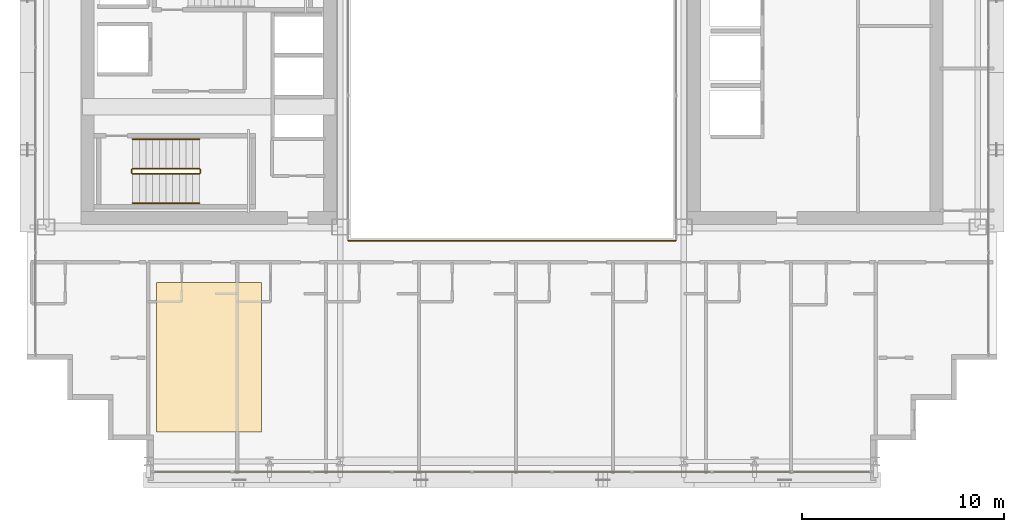
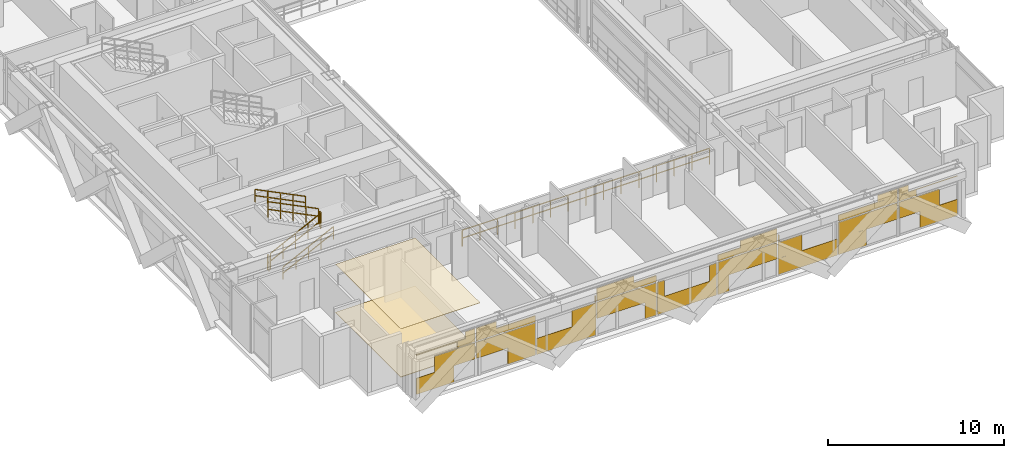
# One storey, part 36 of 39: 7 railings, 3 coverings.
"""IFC4 building model written with IfcOpenShell, lengths in metres."""

from ifc_helpers import new_model, si_unit, direction, frame, origin, origin_2d, place, context, subcontext, project, spatial, polyline, rectangle, outline, extrude, material, layer, layer_set, type_object, element, save


model = new_model("IFC4")

# Units and contexts
model_context = context("Model", 3, precision=1e-05, world=origin(), true_north=direction((0.0, 1.0)))
body_context = subcontext(model_context, "Body", "Model", "MODEL_VIEW")
ifc_project = project(units=[si_unit("LENGTHUNIT", "METRE"), si_unit("AREAUNIT", "SQUARE_METRE"), si_unit("VOLUMEUNIT", "CUBIC_METRE"), si_unit("PLANEANGLEUNIT", "RADIAN"), si_unit("MASSUNIT", "GRAM", prefix="KILO")], contexts=[model_context])

# Site, building, storey
site_placement = place(None, origin())
site = spatial("IfcSite", under=ifc_project, at=site_placement, CompositionType="ELEMENT")
building_placement = place(site_placement, origin())
building = spatial("IfcBuilding", under=site, at=building_placement, Name="Ocotamira Hotel", CompositionType="ELEMENT")
storey_placement = place(building_placement, frame((0.0, 0.0, 104.39990234375)))
storey = spatial("IfcBuildingStorey", under=building, at=storey_placement, Name="L25", CompositionType="ELEMENT", Elevation=104.39990234375)

# Coverings
ifc_material_1 = material(Name="Perforated acoustic gypsum ceiling board", Category="gypsum")
ifc_layer_1 = layer(ifc_material_1, 0.02490234375)
ifc_layer_set_1 = layer_set([ifc_layer_1], Name="Perforated acoustic gypsum ceiling board")
covering_type_1 = type_object("IfcCoveringType", Name="COV-CEIL-25", PredefinedType="CEILING", material=ifc_layer_set_1)
covering_1_placement = place(storey_placement, frame((0.0, 0.0, 3.335205078125)))
element("IfcCovering", 1, at=covering_1_placement, inside=storey, type_object=covering_type_1, Name="L25 Acoustic Ceiling", PredefinedType="CEILING", context=body_context, shape_type="SweptSolid", body=[
    extrude(outline(polyline([(14.39990234375, 4.39990234375), (19.60009765625, 4.39990234375), (19.60009765625, 11.800048828125), (14.39990234375, 11.800048828125), (14.39990234375, 4.39990234375)])), origin(), (0.0, 0.0, 1.0), 0.02490234375),
])
ifc_material_2 = material(Name="Honed desert travertine stone flooring", Category="masonry")
ifc_layer_2 = layer(ifc_material_2, 0.030029296875)
ifc_layer_set_2 = layer_set([ifc_layer_2], Name="Honed desert travertine stone flooring")
covering_type_2 = type_object("IfcCoveringType", Name="COV-FLOR-30", PredefinedType="FLOORING", material=ifc_layer_set_2)
covering_2_placement = place(storey_placement, origin())
element("IfcCovering", 2, at=covering_2_placement, inside=storey, type_object=covering_type_2, Name="L25 Honed Stone Floor Finish", PredefinedType="FLOORING", context=body_context, shape_type="SweptSolid", body=[
    extrude(outline(polyline([(14.39990234375, 4.39990234375), (19.60009765625, 4.39990234375), (19.60009765625, 11.800048828125), (14.39990234375, 11.800048828125), (14.39990234375, 4.39990234375)])), origin(), (0.0, 0.0, 1.0), 0.030029296875),
])
ifc_material_3 = material(Name="Insulated pale-metal aluminium spandrel panel", Category="aluminium")
ifc_layer_3 = layer(ifc_material_3, 0.044921875)
ifc_layer_set_3 = layer_set([ifc_layer_3], Name="Insulated pale-metal aluminium spandrel panel")
covering_type_3 = type_object("IfcCoveringType", Name="COV-INFILL-45", PredefinedType="CLADDING", material=ifc_layer_set_3)
covering_3_placement = place(storey_placement, origin())
element("IfcCovering", 3, at=covering_3_placement, inside=storey, type_object=covering_type_3, Name="L25 Curtain Wall Infill CW-3 CW-L25-S1", PredefinedType="CLADDING", context=body_context, shape_type="SweptSolid", body=[
    extrude(rectangle(XDim=2.464111328125, YDim=0.044921875, at=origin_2d()), frame((15.512451171875, 2.419921875, 0.07568359375), z_axis=(0.0, 0.0, 1.0), x_axis=(1.0, 0.0, 0.0)), (0.0, 0.0, 1.0), 1.117919921875),
    extrude(rectangle(XDim=2.650146484375, YDim=0.044921875, at=origin_2d()), frame((16.7900390625, 2.419921875, 1.1943359375), z_axis=(0.0, 0.0, 1.0), x_axis=(1.0, 0.0, 0.0)), (0.0, 0.0, 1.0), 1.117919921875),
    extrude(rectangle(XDim=3.834716796875, YDim=0.044921875, at=origin_2d()), frame((16.19775390625, 2.419921875, 2.78271484375), z_axis=(0.0, 0.0, 1.0), x_axis=(1.0, 0.0, 0.0)), (0.0, 0.0, 1.0), 0.0302734375),
    extrude(rectangle(XDim=1.157958984375, YDim=0.044921875, at=origin_2d()), frame((17.5361328125, 2.419921875, 2.38818359375), z_axis=(0.0, 0.0, 1.0), x_axis=(1.0, 0.0, 0.0)), (0.0, 0.0, 1.0), 0.3935546875),
    extrude(rectangle(XDim=0.625732421875, YDim=0.044921875, at=origin_2d()), frame((17.80224609375, 2.419921875, 2.81396484375), z_axis=(0.0, 0.0, 1.0), x_axis=(1.0, 0.0, 0.0)), (0.0, 0.0, 1.0), 0.470703125),
    extrude(rectangle(XDim=3.87451171875, YDim=0.044921875, at=origin_2d()), frame((20.13330078125, 2.419921875, 1.1943359375), z_axis=(0.0, 0.0, 1.0), x_axis=(1.0, 0.0, 0.0)), (0.0, 0.0, 1.0), 1.117919921875),
    extrude(rectangle(XDim=1.815185546875, YDim=0.044921875, at=origin_2d()), frame((21.1630859375, 2.419921875, 0.07568359375), z_axis=(0.0, 0.0, 1.0), x_axis=(1.0, 0.0, 0.0)), (0.0, 0.0, 1.0), 1.117919921875),
    extrude(rectangle(XDim=3.87451171875, YDim=0.044921875, at=origin_2d()), frame((20.13330078125, 2.419921875, 2.38818359375), z_axis=(0.0, 0.0, 1.0), x_axis=(1.0, 0.0, 0.0)), (0.0, 0.0, 1.0), 0.4248046875),
    extrude(rectangle(XDim=1.314697265625, YDim=0.044921875, at=origin_2d()), frame((18.853515625, 2.419921875, 2.81396484375), z_axis=(0.0, 0.0, 1.0), x_axis=(1.0, 0.0, 0.0)), (0.0, 0.0, 1.0), 0.470703125),
    extrude(rectangle(XDim=3.87451171875, YDim=0.044921875, at=origin_2d()), frame((24.0888671875, 2.419921875, 0.07568359375), z_axis=(0.0, 0.0, 1.0), x_axis=(1.0, 0.0, 0.0)), (0.0, 0.0, 1.0), 1.117919921875),
    extrude(rectangle(XDim=1.561279296875, YDim=0.044921875, at=origin_2d()), frame((25.24560546875, 2.419921875, 1.1943359375), z_axis=(0.0, 0.0, 1.0), x_axis=(1.0, 0.0, 0.0)), (0.0, 0.0, 1.0), 1.117919921875),
    extrude(rectangle(XDim=0.069091796875, YDim=0.044921875, at=origin_2d()), frame((25.99169921875, 2.419921875, 2.38818359375), z_axis=(0.0, 0.0, 1.0), x_axis=(1.0, 0.0, 0.0)), (0.0, 0.0, 1.0), 0.4248046875),
    extrude(rectangle(XDim=3.87451171875, YDim=0.044921875, at=origin_2d()), frame((28.04443359375, 2.419921875, 1.1943359375), z_axis=(0.0, 0.0, 1.0), x_axis=(1.0, 0.0, 0.0)), (0.0, 0.0, 1.0), 1.117919921875),
    extrude(rectangle(XDim=0.726318359375, YDim=0.044921875, at=origin_2d()), frame((29.61865234375, 2.419921875, 0.07568359375), z_axis=(0.0, 0.0, 1.0), x_axis=(1.0, 0.0, 0.0)), (0.0, 0.0, 1.0), 1.117919921875),
    extrude(rectangle(XDim=3.87451171875, YDim=0.044921875, at=origin_2d()), frame((28.04443359375, 2.419921875, 2.38818359375), z_axis=(0.0, 0.0, 1.0), x_axis=(1.0, 0.0, 0.0)), (0.0, 0.0, 1.0), 0.4248046875),
    extrude(rectangle(XDim=2.403564453125, YDim=0.044921875, at=origin_2d()), frame((27.308837890625, 2.419921875, 2.81396484375), z_axis=(0.0, 0.0, 1.0), x_axis=(1.0, 0.0, 0.0)), (0.0, 0.0, 1.0), 0.470703125),
    extrude(rectangle(XDim=3.87451171875, YDim=0.044921875, at=origin_2d()), frame((32.0, 2.419921875, 0.07568359375), z_axis=(0.0, 0.0, 1.0), x_axis=(1.0, 0.0, 0.0)), (0.0, 0.0, 1.0), 1.117919921875),
    extrude(rectangle(XDim=0.472412109375, YDim=0.044921875, at=origin_2d()), frame((30.298828125, 2.419921875, 1.1943359375), z_axis=(0.0, 0.0, 1.0), x_axis=(1.0, 0.0, 0.0)), (0.0, 0.0, 1.0), 1.117919921875),
    extrude(rectangle(XDim=0.472412109375, YDim=0.044921875, at=origin_2d()), frame((33.701171875, 2.419921875, 1.1943359375), z_axis=(0.0, 0.0, 1.0), x_axis=(1.0, 0.0, 0.0)), (0.0, 0.0, 1.0), 1.117919921875),
    extrude(rectangle(XDim=0.726318359375, YDim=0.044921875, at=origin_2d()), frame((34.38134765625, 2.419921875, 0.07568359375), z_axis=(0.0, 0.0, 1.0), x_axis=(1.0, 0.0, 0.0)), (0.0, 0.0, 1.0), 1.117919921875),
    extrude(rectangle(XDim=3.87451171875, YDim=0.044921875, at=origin_2d()), frame((35.95556640625, 2.419921875, 1.1943359375), z_axis=(0.0, 0.0, 1.0), x_axis=(1.0, 0.0, 0.0)), (0.0, 0.0, 1.0), 1.117919921875),
    extrude(rectangle(XDim=3.87451171875, YDim=0.044921875, at=origin_2d()), frame((35.95556640625, 2.419921875, 2.38818359375), z_axis=(0.0, 0.0, 1.0), x_axis=(1.0, 0.0, 0.0)), (0.0, 0.0, 1.0), 0.4248046875),
    extrude(rectangle(XDim=2.403564453125, YDim=0.044921875, at=origin_2d()), frame((36.691162109375, 2.419921875, 2.81396484375), z_axis=(0.0, 0.0, 1.0), x_axis=(1.0, 0.0, 0.0)), (0.0, 0.0, 1.0), 0.470703125),
    extrude(rectangle(XDim=3.87451171875, YDim=0.044921875, at=origin_2d()), frame((39.9111328125, 2.419921875, 0.07568359375), z_axis=(0.0, 0.0, 1.0), x_axis=(1.0, 0.0, 0.0)), (0.0, 0.0, 1.0), 1.117919921875),
    extrude(rectangle(XDim=1.561279296875, YDim=0.044921875, at=origin_2d()), frame((38.75439453125, 2.419921875, 1.1943359375), z_axis=(0.0, 0.0, 1.0), x_axis=(1.0, 0.0, 0.0)), (0.0, 0.0, 1.0), 1.117919921875),
    extrude(rectangle(XDim=0.069091796875, YDim=0.044921875, at=origin_2d()), frame((38.00830078125, 2.419921875, 2.38818359375), z_axis=(0.0, 0.0, 1.0), x_axis=(1.0, 0.0, 0.0)), (0.0, 0.0, 1.0), 0.4248046875),
    extrude(rectangle(XDim=1.815185546875, YDim=0.044921875, at=origin_2d()), frame((42.8369140625, 2.419921875, 0.07568359375), z_axis=(0.0, 0.0, 1.0), x_axis=(1.0, 0.0, 0.0)), (0.0, 0.0, 1.0), 1.117919921875),
    extrude(rectangle(XDim=3.87451171875, YDim=0.044921875, at=origin_2d()), frame((43.86669921875, 2.419921875, 1.1943359375), z_axis=(0.0, 0.0, 1.0), x_axis=(1.0, 0.0, 0.0)), (0.0, 0.0, 1.0), 1.117919921875),
    extrude(rectangle(XDim=3.87451171875, YDim=0.044921875, at=origin_2d()), frame((43.86669921875, 2.419921875, 2.38818359375), z_axis=(0.0, 0.0, 1.0), x_axis=(1.0, 0.0, 0.0)), (0.0, 0.0, 1.0), 0.4248046875),
    extrude(rectangle(XDim=1.314697265625, YDim=0.044921875, at=origin_2d()), frame((45.146484375, 2.419921875, 2.81396484375), z_axis=(0.0, 0.0, 1.0), x_axis=(1.0, 0.0, 0.0)), (0.0, 0.0, 1.0), 0.470703125),
    extrude(rectangle(XDim=2.650146484375, YDim=0.044921875, at=origin_2d()), frame((47.2099609375, 2.419921875, 1.1943359375), z_axis=(0.0, 0.0, 1.0), x_axis=(1.0, 0.0, 0.0)), (0.0, 0.0, 1.0), 1.117919921875),
    extrude(rectangle(XDim=2.464111328125, YDim=0.044921875, at=origin_2d()), frame((48.487548828125, 2.419921875, 0.07568359375), z_axis=(0.0, 0.0, 1.0), x_axis=(1.0, 0.0, 0.0)), (0.0, 0.0, 1.0), 1.117919921875),
    extrude(rectangle(XDim=1.157958984375, YDim=0.044921875, at=origin_2d()), frame((46.4638671875, 2.419921875, 2.38818359375), z_axis=(0.0, 0.0, 1.0), x_axis=(1.0, 0.0, 0.0)), (0.0, 0.0, 1.0), 0.3935546875),
    extrude(rectangle(XDim=3.834716796875, YDim=0.044921875, at=origin_2d()), frame((47.80224609375, 2.419921875, 2.78271484375), z_axis=(0.0, 0.0, 1.0), x_axis=(1.0, 0.0, 0.0)), (0.0, 0.0, 1.0), 0.0302734375),
    extrude(rectangle(XDim=0.625732421875, YDim=0.044921875, at=origin_2d()), frame((46.19775390625, 2.419921875, 2.81396484375), z_axis=(0.0, 0.0, 1.0), x_axis=(1.0, 0.0, 0.0)), (0.0, 0.0, 1.0), 0.470703125),
])

# Railings
ifc_material_4 = material(Name="Painted steel stair guardrail", Category="steel")
railing_type_1 = type_object("IfcRailingType", Name="RL-EDGE-1150", PredefinedType="GUARDRAIL", material=ifc_material_4)
railing_1_placement = place(storey_placement, frame((23.89990234375, 13.8798828125, 0.0)))
element("IfcRailing", 4, at=railing_1_placement, inside=storey, type_object=railing_type_1, Name="L25 Central Atrium Edge Guardrail S", PredefinedType="GUARDRAIL", context=body_context, shape_type="SweptSolid", body=[
    extrude(rectangle(XDim=0.048095703125, YDim=0.048095703125, at=origin_2d()), frame((0.0, 0.0, 1.1259765625), z_axis=(1.0, 0.0, 0.0), x_axis=(0.0, 1.0, 0.0)), (0.0, 0.0, 1.0), 16.2001953125),
    extrude(rectangle(XDim=0.048095703125, YDim=0.048095703125, at=origin_2d()), frame((0.0, 0.0, 0.574951171875), z_axis=(1.0, 0.0, 0.0), x_axis=(0.0, 1.0, 0.0)), (0.0, 0.0, 1.0), 16.2001953125),
    extrude(rectangle(XDim=0.0419921875, YDim=0.0419921875, at=origin_2d()), origin(), (0.0, 0.0, 1.0), 1.101806640625),
    extrude(rectangle(XDim=0.0419921875, YDim=0.0419921875, at=origin_2d()), frame((1.1572265625, 0.0, 0.0)), (0.0, 0.0, 1.0), 1.101806640625),
    extrude(rectangle(XDim=0.0419921875, YDim=0.0419921875, at=origin_2d()), frame((2.314208984375, 0.0, 0.0)), (0.0, 0.0, 1.0), 1.101806640625),
    extrude(rectangle(XDim=0.0419921875, YDim=0.0419921875, at=origin_2d()), frame((3.471435546875, 0.0, 0.0)), (0.0, 0.0, 1.0), 1.101806640625),
    extrude(rectangle(XDim=0.0419921875, YDim=0.0419921875, at=origin_2d()), frame((4.628662109375, 0.0, 0.0)), (0.0, 0.0, 1.0), 1.101806640625),
    extrude(rectangle(XDim=0.0419921875, YDim=0.0419921875, at=origin_2d()), frame((5.785888671875, 0.0, 0.0)), (0.0, 0.0, 1.0), 1.101806640625),
    extrude(rectangle(XDim=0.0419921875, YDim=0.0419921875, at=origin_2d()), frame((6.94287109375, 0.0, 0.0)), (0.0, 0.0, 1.0), 1.101806640625),
    extrude(rectangle(XDim=0.0419921875, YDim=0.0419921875, at=origin_2d()), frame((8.10009765625, 0.0, 0.0)), (0.0, 0.0, 1.0), 1.101806640625),
    extrude(rectangle(XDim=0.0419921875, YDim=0.0419921875, at=origin_2d()), frame((9.25732421875, 0.0, 0.0)), (0.0, 0.0, 1.0), 1.101806640625),
    extrude(rectangle(XDim=0.0419921875, YDim=0.0419921875, at=origin_2d()), frame((10.414306640625, 0.0, 0.0)), (0.0, 0.0, 1.0), 1.101806640625),
    extrude(rectangle(XDim=0.0419921875, YDim=0.0419921875, at=origin_2d()), frame((11.571533203125, 0.0, 0.0)), (0.0, 0.0, 1.0), 1.101806640625),
    extrude(rectangle(XDim=0.0419921875, YDim=0.0419921875, at=origin_2d()), frame((12.728759765625, 0.0, 0.0)), (0.0, 0.0, 1.0), 1.101806640625),
    extrude(rectangle(XDim=0.0419921875, YDim=0.0419921875, at=origin_2d()), frame((13.885986328125, 0.0, 0.0)), (0.0, 0.0, 1.0), 1.101806640625),
    extrude(rectangle(XDim=0.0419921875, YDim=0.0419921875, at=origin_2d()), frame((15.04296875, 0.0, 0.0)), (0.0, 0.0, 1.0), 1.101806640625),
    extrude(rectangle(XDim=0.0419921875, YDim=0.0419921875, at=origin_2d()), frame((16.2001953125, 0.0, 0.0)), (0.0, 0.0, 1.0), 1.101806640625),
])
ifc_material_5 = material(Name="Brushed stainless steel handrail", Category="steel")
railing_type_2 = type_object("IfcRailingType", Name="RL-HAND-900", PredefinedType="HANDRAIL", material=ifc_material_5)
railing_2_placement = place(storey_placement, frame((13.22998046875, 15.719970703125, 0.327392578125)))
element("IfcRailing", 5, at=railing_2_placement, inside=storey, type_object=railing_type_2, Name="L25 ST-1 stair handrail 1", PredefinedType="HANDRAIL", context=body_context, shape_type="SweptSolid", body=[
    extrude(rectangle(XDim=0.048095703125, YDim=0.048095703125, at=origin_2d()), frame((0.0, 0.0, 0.8759765625), z_axis=(0.895920123917, 0.0, 0.444215186098), x_axis=(0.0, 1.0, 0.0)), (0.0, 0.0, 1.0), 3.683349609375),
    extrude(rectangle(XDim=0.048095703125, YDim=0.048095703125, at=origin_2d()), frame((0.0, 0.0, 0.449951171875), z_axis=(0.895920123917, 0.0, 0.444215186098), x_axis=(0.0, 1.0, 0.0)), (0.0, 0.0, 1.0), 3.683349609375),
    extrude(rectangle(XDim=0.0419921875, YDim=0.0419921875, at=origin_2d()), origin(), (0.0, 0.0, 1.0), 0.851806640625),
    extrude(rectangle(XDim=0.0419921875, YDim=0.0419921875, at=origin_2d()), frame((0.824951171875, 0.0, 0.4091796875)), (0.0, 0.0, 1.0), 0.851806640625),
    extrude(rectangle(XDim=0.0419921875, YDim=0.0419921875, at=origin_2d()), frame((1.64990234375, 0.0, 0.818115234375)), (0.0, 0.0, 1.0), 0.851806640625),
    extrude(rectangle(XDim=0.0419921875, YDim=0.0419921875, at=origin_2d()), frame((2.47509765625, 0.0, 1.22705078125)), (0.0, 0.0, 1.0), 0.851806640625),
    extrude(rectangle(XDim=0.0419921875, YDim=0.0419921875, at=origin_2d()), frame((3.300048828125, 0.0, 1.63623046875)), (0.0, 0.0, 1.0), 0.851806640625),
])
railing_3_placement = place(storey_placement, frame((16.530029296875, 18.89990234375, 2.12744140625)))
element("IfcRailing", 6, at=railing_3_placement, inside=storey, type_object=railing_type_2, Name="L25 ST-1 stair handrail 2", PredefinedType="HANDRAIL", context=body_context, shape_type="SweptSolid", body=[
    extrude(rectangle(XDim=0.048095703125, YDim=0.048095703125, at=origin_2d()), frame((0.0, 0.0, 0.8759765625), z_axis=(-0.895920123917, 0.0, 0.444215186098), x_axis=(0.0, -1.0, 0.0)), (0.0, 0.0, 1.0), 3.683349609375),
    extrude(rectangle(XDim=0.048095703125, YDim=0.048095703125, at=origin_2d()), frame((0.0, 0.0, 0.449951171875), z_axis=(-0.895920123917, 0.0, 0.444215186098), x_axis=(0.0, -1.0, 0.0)), (0.0, 0.0, 1.0), 3.683349609375),
    extrude(rectangle(XDim=0.0419921875, YDim=0.0419921875, at=origin_2d()), origin(), (0.0, 0.0, 1.0), 0.851806640625),
    extrude(rectangle(XDim=0.0419921875, YDim=0.0419921875, at=origin_2d()), frame((-0.824951171875, 0.0, 0.4091796875)), (0.0, 0.0, 1.0), 0.851806640625),
    extrude(rectangle(XDim=0.0419921875, YDim=0.0419921875, at=origin_2d()), frame((-1.64990234375, 0.0, 0.818115234375)), (0.0, 0.0, 1.0), 0.851806640625),
    extrude(rectangle(XDim=0.0419921875, YDim=0.0419921875, at=origin_2d()), frame((-2.47509765625, 0.0, 1.22705078125)), (0.0, 0.0, 1.0), 0.851806640625),
    extrude(rectangle(XDim=0.0419921875, YDim=0.0419921875, at=origin_2d()), frame((-3.300048828125, 0.0, 1.63623046875)), (0.0, 0.0, 1.0), 0.851806640625),
])
railing_type_3 = type_object("IfcRailingType", Name="RL-STAIR-1100", PredefinedType="GUARDRAIL", material=ifc_material_4)
railing_4_placement = place(storey_placement, frame((13.22998046875, 17.179931640625, 0.163818359375)))
element("IfcRailing", 7, at=railing_4_placement, inside=storey, type_object=railing_type_3, Name="L25 ST-1 stair guard 1", PredefinedType="GUARDRAIL", context=body_context, shape_type="SweptSolid", body=[
    extrude(rectangle(XDim=0.048095703125, YDim=0.048095703125, at=origin_2d()), frame((0.0, 0.0, 1.076171875), z_axis=(0.895920123917, 0.0, 0.444215186098), x_axis=(0.0, 1.0, 0.0)), (0.0, 0.0, 1.0), 3.683349609375),
    extrude(rectangle(XDim=0.048095703125, YDim=0.048095703125, at=origin_2d()), frame((0.0, 0.0, 0.550048828125), z_axis=(0.895920123917, 0.0, 0.444215186098), x_axis=(0.0, 1.0, 0.0)), (0.0, 0.0, 1.0), 3.683349609375),
    extrude(rectangle(XDim=0.0419921875, YDim=0.0419921875, at=origin_2d()), origin(), (0.0, 0.0, 1.0), 1.052001953125),
    extrude(rectangle(XDim=0.0419921875, YDim=0.0419921875, at=origin_2d()), frame((0.824951171875, 0.0, 0.4091796875)), (0.0, 0.0, 1.0), 1.052001953125),
    extrude(rectangle(XDim=0.0419921875, YDim=0.0419921875, at=origin_2d()), frame((1.64990234375, 0.0, 0.818115234375)), (0.0, 0.0, 1.0), 1.052001953125),
    extrude(rectangle(XDim=0.0419921875, YDim=0.0419921875, at=origin_2d()), frame((2.47509765625, 0.0, 1.22705078125)), (0.0, 0.0, 1.0), 1.052001953125),
    extrude(rectangle(XDim=0.0419921875, YDim=0.0419921875, at=origin_2d()), frame((3.300048828125, 0.0, 1.63623046875)), (0.0, 0.0, 1.0), 1.052001953125),
])
railing_5_placement = place(storey_placement, frame((16.580078125, 17.22998046875, 1.800048828125)))
element("IfcRailing", 8, at=railing_5_placement, inside=storey, type_object=railing_type_3, Name="L25 ST-1 stair guard 2", PredefinedType="GUARDRAIL", context=body_context, shape_type="SweptSolid", body=[
    extrude(rectangle(XDim=0.048095703125, YDim=0.048095703125, at=origin_2d()), frame((0.0, 0.0, 1.076171875), z_axis=(0.0, 1.0, 0.0), x_axis=(-1.0, 0.0, 0.0)), (0.0, 0.0, 1.0), 0.159912109375),
    extrude(rectangle(XDim=0.048095703125, YDim=0.048095703125, at=origin_2d()), frame((0.0, 0.0, 0.550048828125), z_axis=(0.0, 1.0, 0.0), x_axis=(-1.0, 0.0, 0.0)), (0.0, 0.0, 1.0), 0.159912109375),
    extrude(rectangle(XDim=0.0419921875, YDim=0.0419921875, at=origin_2d()), origin(), (0.0, 0.0, 1.0), 1.052001953125),
    extrude(rectangle(XDim=0.0419921875, YDim=0.0419921875, at=origin_2d()), frame((0.0, 0.159912109375, 0.0)), (0.0, 0.0, 1.0), 1.052001953125),
])
railing_6_placement = place(storey_placement, frame((16.530029296875, 17.43994140625, 1.963623046875)))
element("IfcRailing", 9, at=railing_6_placement, inside=storey, type_object=railing_type_3, Name="L25 ST-1 stair guard 3", PredefinedType="GUARDRAIL", context=body_context, shape_type="SweptSolid", body=[
    extrude(rectangle(XDim=0.048095703125, YDim=0.048095703125, at=origin_2d()), frame((0.0, 0.0, 1.076171875), z_axis=(-0.895893744519, 0.0, 0.4442683857), x_axis=(0.0, -1.0, 0.0)), (0.0, 0.0, 1.0), 3.68359375),
    extrude(rectangle(XDim=0.048095703125, YDim=0.048095703125, at=origin_2d()), frame((0.0, 0.0, 0.550048828125), z_axis=(-0.895893744519, 0.0, 0.4442683857), x_axis=(0.0, -1.0, 0.0)), (0.0, 0.0, 1.0), 3.68359375),
    extrude(rectangle(XDim=0.0419921875, YDim=0.0419921875, at=origin_2d()), origin(), (0.0, 0.0, 1.0), 1.052001953125),
    extrude(rectangle(XDim=0.0419921875, YDim=0.0419921875, at=origin_2d()), frame((-0.824951171875, 0.0, 0.4091796875)), (0.0, 0.0, 1.0), 1.052001953125),
    extrude(rectangle(XDim=0.0419921875, YDim=0.0419921875, at=origin_2d()), frame((-1.64990234375, 0.0, 0.818359375)), (0.0, 0.0, 1.0), 1.052001953125),
    extrude(rectangle(XDim=0.0419921875, YDim=0.0419921875, at=origin_2d()), frame((-2.47509765625, 0.0, 1.227294921875)), (0.0, 0.0, 1.0), 1.052001953125),
    extrude(rectangle(XDim=0.0419921875, YDim=0.0419921875, at=origin_2d()), frame((-3.300048828125, 0.0, 1.636474609375)), (0.0, 0.0, 1.0), 1.052001953125),
])
railing_7_placement = place(storey_placement, frame((13.179931640625, 17.22998046875, 0.0)))
element("IfcRailing", 10, at=railing_7_placement, inside=storey, type_object=railing_type_3, Name="L25 ST-1 stair guard 4", PredefinedType="GUARDRAIL", context=body_context, shape_type="SweptSolid", body=[
    extrude(rectangle(XDim=0.048095703125, YDim=0.048095703125, at=origin_2d()), frame((0.0, 0.0, 1.076171875), z_axis=(0.0, 1.0, 0.0), x_axis=(-1.0, 0.0, 0.0)), (0.0, 0.0, 1.0), 0.159912109375),
    extrude(rectangle(XDim=0.048095703125, YDim=0.048095703125, at=origin_2d()), frame((0.0, 0.0, 0.550048828125), z_axis=(0.0, 1.0, 0.0), x_axis=(-1.0, 0.0, 0.0)), (0.0, 0.0, 1.0), 0.159912109375),
    extrude(rectangle(XDim=0.0419921875, YDim=0.0419921875, at=origin_2d()), origin(), (0.0, 0.0, 1.0), 1.052001953125),
    extrude(rectangle(XDim=0.0419921875, YDim=0.0419921875, at=origin_2d()), frame((0.0, 0.159912109375, 0.0)), (0.0, 0.0, 1.0), 1.052001953125),
])

save(model, "model.ifc")
